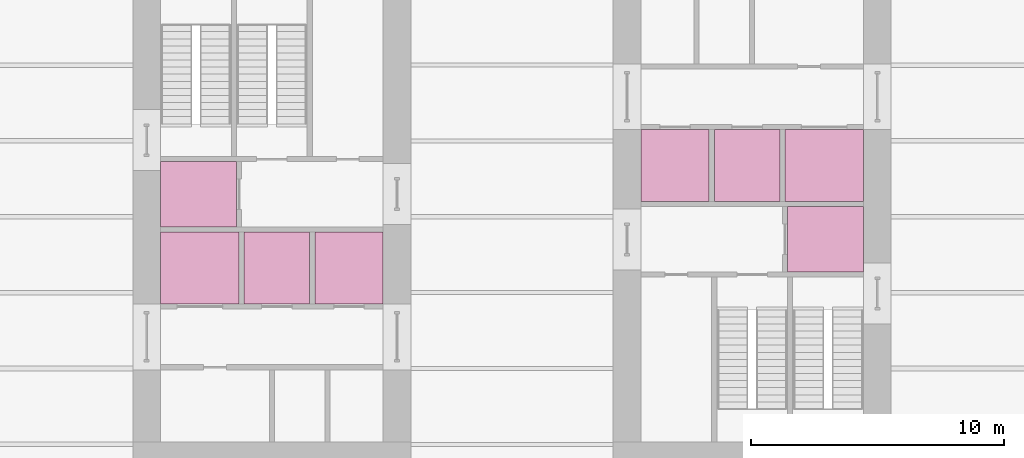
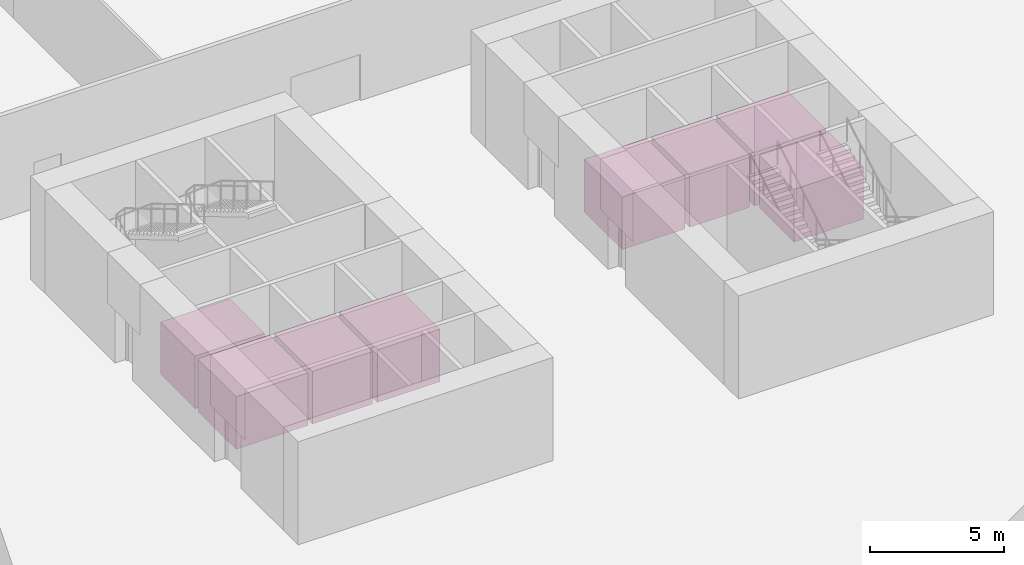
# One storey, part 6 of 6: 8 transport elements.
"""IFC4 building model written with IfcOpenShell, lengths in metres."""

from ifc_helpers import new_model, si_unit, direction, frame, origin, origin_2d, place, context, subcontext, project, spatial, rectangle, extrude, material, type_object, element, save


model = new_model("IFC4")

# Units and contexts
model_context = context("Model", 3, precision=1e-05, world=origin(), true_north=direction((0.0, 1.0)))
body_context = subcontext(model_context, "Body", "Model", "MODEL_VIEW")
ifc_project = project(units=[si_unit("LENGTHUNIT", "METRE"), si_unit("AREAUNIT", "SQUARE_METRE"), si_unit("VOLUMEUNIT", "CUBIC_METRE"), si_unit("PLANEANGLEUNIT", "RADIAN"), si_unit("MASSUNIT", "GRAM", prefix="KILO")], contexts=[model_context])

# Site, building, storey
site_placement = place(None, origin())
site = spatial("IfcSite", under=ifc_project, at=site_placement, CompositionType="ELEMENT")
building_placement = place(site_placement, origin())
building = spatial("IfcBuilding", under=site, at=building_placement, Name="Millrace Tower", CompositionType="ELEMENT")
storey_placement = place(building_placement, frame((0.0, 0.0, -5.0)))
storey = spatial("IfcBuildingStorey", under=building, at=storey_placement, Name="B1", CompositionType="ELEMENT", Elevation=-5.0)

# Transport elements
ifc_material_1 = material(Name="Stainless steel ASTM A240 type 316", Category="steel")
transport_element_type_1 = type_object("IfcTransportElementType", Name="Fire service access lift car 2000 x 2400", PredefinedType="ELEVATOR", material=ifc_material_1)
for number, where, z_axis, x_axis, name in (
    (1, (-12.39990234375, 0.889892578125, 0.0), (0.0, 0.0, 1.0), (1.0, 0.0, 0.0), "Fire service access lift LF8"),
    (2, (12.39990234375, -0.889892578125, 0.0), (0.0, 0.0, 1.0), (1.0, 0.0, 0.0), "Fire service access lift LF16"),
):
    element("IfcTransportElement", number, at=place(storey_placement, frame(where, z_axis=z_axis, x_axis=x_axis)), inside=storey, type_object=transport_element_type_1, Name=name, PredefinedType="ELEVATOR", context=body_context, shape_type="SweptSolid", body=[
        extrude(rectangle(XDim=3.0, YDim=2.580078125, at=origin_2d()), origin(), (0.0, 0.0, 1.0), 2.39990234375),
    ])
ifc_material_2 = material(Name="Stainless steel ASTM A240 type 316", Category="steel")
transport_element_type_2 = type_object("IfcTransportElementType", Name="Passenger lift car 2000 x 2400", PredefinedType="ELEVATOR", material=ifc_material_2)
transport_element_1_placement = place(storey_placement, frame((-9.300048828125, -2.02490234375, 0.0), z_axis=(0.0, 0.0, 1.0), x_axis=(1.0, 0.0, 0.0)))
element("IfcTransportElement", 3, at=transport_element_1_placement, inside=storey, type_object=transport_element_type_2, Name="Passenger lift LF6", PredefinedType="ELEVATOR", context=body_context, shape_type="SweptSolid", body=[
    extrude(rectangle(XDim=2.60009765625, YDim=2.85009765625, at=origin_2d()), origin(), (0.0, 0.0, 1.0), 2.39990234375),
])
transport_element_2_placement = place(storey_placement, frame((-6.449951171875, -2.02490234375, 0.0), z_axis=(0.0, 0.0, 1.0), x_axis=(1.0, 0.0, 0.0)))
element("IfcTransportElement", 4, at=transport_element_2_placement, inside=storey, type_object=transport_element_type_2, Name="Passenger lift LF7", PredefinedType="ELEVATOR", context=body_context, shape_type="SweptSolid", body=[
    extrude(rectangle(XDim=2.699951171875, YDim=2.85009765625, at=origin_2d()), origin(), (0.0, 0.0, 1.0), 2.39990234375),
])
transport_element_3_placement = place(storey_placement, frame((9.300048828125, 2.02490234375, 0.0), z_axis=(0.0, 0.0, 1.0), x_axis=(1.0, 0.0, 0.0)))
element("IfcTransportElement", 5, at=transport_element_3_placement, inside=storey, type_object=transport_element_type_2, Name="Passenger lift LF14", PredefinedType="ELEVATOR", context=body_context, shape_type="SweptSolid", body=[
    extrude(rectangle(XDim=2.60009765625, YDim=2.85009765625, at=origin_2d()), origin(), (0.0, 0.0, 1.0), 2.39990234375),
])
transport_element_4_placement = place(storey_placement, frame((6.449951171875, 2.02490234375, 0.0), z_axis=(0.0, 0.0, 1.0), x_axis=(1.0, 0.0, 0.0)))
element("IfcTransportElement", 6, at=transport_element_4_placement, inside=storey, type_object=transport_element_type_2, Name="Passenger lift LF15", PredefinedType="ELEVATOR", context=body_context, shape_type="SweptSolid", body=[
    extrude(rectangle(XDim=2.699951171875, YDim=2.85009765625, at=origin_2d()), origin(), (0.0, 0.0, 1.0), 2.39990234375),
])
ifc_material_3 = material(Name="Stainless steel ASTM A240 type 316", Category="steel")
transport_element_type_3 = type_object("IfcTransportElementType", Name="Service and fire service access lift car 2500 x 2400", PredefinedType="ELEVATOR", material=ifc_material_3)
transport_element_5_placement = place(storey_placement, frame((12.35009765625, 2.02490234375, 0.0), z_axis=(0.0, 0.0, 1.0), x_axis=(1.0, 0.0, 0.0)))
element("IfcTransportElement", 7, at=transport_element_5_placement, inside=storey, type_object=transport_element_type_3, Name="Service and fire service access lift LF13", PredefinedType="ELEVATOR", context=body_context, shape_type="SweptSolid", body=[
    extrude(rectangle(XDim=3.10009765625, YDim=2.85009765625, at=origin_2d()), origin(), (0.0, 0.0, 1.0), 2.39990234375),
])
ifc_material_4 = material(Name="Stainless steel ASTM A240 type 316", Category="steel")
transport_element_type_4 = type_object("IfcTransportElementType", Name="Service lift car 2500 x 2400", PredefinedType="ELEVATOR", material=ifc_material_4)
transport_element_6_placement = place(storey_placement, frame((-12.35009765625, -2.02490234375, 0.0), z_axis=(0.0, 0.0, 1.0), x_axis=(1.0, 0.0, 0.0)))
element("IfcTransportElement", 8, at=transport_element_6_placement, inside=storey, type_object=transport_element_type_4, Name="Service lift LF5", PredefinedType="ELEVATOR", context=body_context, shape_type="SweptSolid", body=[
    extrude(rectangle(XDim=3.10009765625, YDim=2.85009765625, at=origin_2d()), origin(), (0.0, 0.0, 1.0), 2.39990234375),
])

save(model, "model.ifc")
